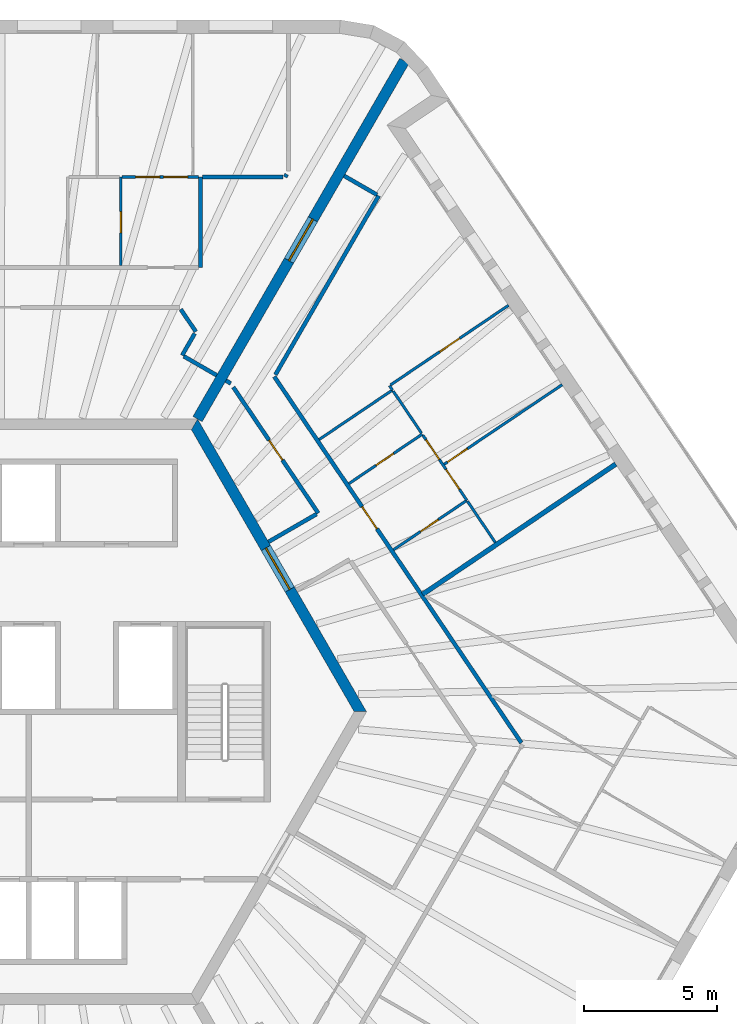
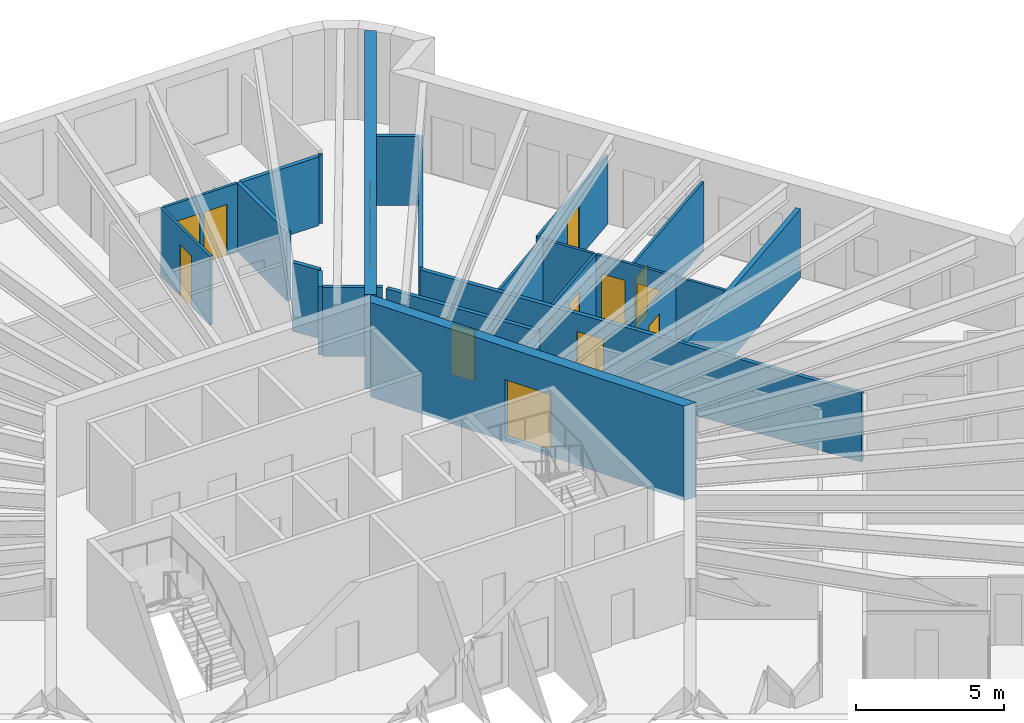
# One storey, part 10 of 12: 26 walls, 13 doors, 13 openings.
"""IFC4 building model written with IfcOpenShell, lengths in metres."""

import ifcopenshell
import ifcopenshell.guid

model = None  # the IFC model being written
_history = None  # IfcOwnerHistory: only IFC2X3 demands one
_inside = {}  # id of a spatial element -> (the spatial element, [elements in it])
_under = {}  # id of a project, library or spatial element -> (it, [spatial elements below it])
_declared = {}  # id of a project -> (the project, [libraries it declares])
_typed = {}  # id of a type object -> (the type object, [elements of that type])
_made_of = {}  # id of a material, layer set ... -> (it, [elements and type objects made of it])


def new_model(schema):
    """Start an empty IFC model of exactly this schema.

    Asked for "IFC4X3", IfcOpenShell would pick the latest addendum, in which some entities
    have other attributes; the version numbers below select the first issue.
    IFC2X3 requires an IfcOwnerHistory on every rooted entity: one is made here for all.
    """
    global model, _history
    if schema == "IFC4X3":
        model = ifcopenshell.file(schema_version=(4, 3, 0, 0))
    else:
        model = ifcopenshell.file(schema=schema)
    _inside.clear()
    _under.clear()
    _declared.clear()
    _typed.clear()
    _made_of.clear()
    _history = None
    if model.schema == "IFC2X3":
        org = make("IfcOrganization", Name="unknown")
        user = make(
            "IfcPersonAndOrganization",
            ThePerson=make("IfcPerson", FamilyName="unknown"),
            TheOrganization=org,
        )
        app = make(
            "IfcApplication",
            ApplicationDeveloper=org,
            Version="unknown",
            ApplicationFullName="unknown",
            ApplicationIdentifier="unknown",
        )
        _history = make(
            "IfcOwnerHistory",
            OwningUser=user,
            OwningApplication=app,
            ChangeAction="ADDED",
            CreationDate=0,
        )
    return model


def make(cls, **values):
    """One entity of the class cls with the attributes given. An attribute that is None is left unset."""
    return model.create_entity(
        cls, **{name: value for name, value in values.items() if value is not None}
    )


def rooted(cls, **values):
    """An entity with a GlobalId (a new one), such as an element, a storey or a relation."""
    return make(cls, GlobalId=ifcopenshell.guid.new(), OwnerHistory=_history, **values)


def si_unit(unit_type, name, prefix=None):
    """IfcSIUnit, for example si_unit("LENGTHUNIT", "METRE", prefix="MILLI")."""
    return make("IfcSIUnit", UnitType=unit_type, Prefix=prefix, Name=name)


def assignment(units):
    """IfcUnitAssignment: the units of a project."""
    return None if units is None else make("IfcUnitAssignment", Units=units)


def point(xyz):
    """IfcCartesianPoint."""
    return None if xyz is None else make("IfcCartesianPoint", Coordinates=xyz)


def direction(xyz):
    """IfcDirection."""
    return None if xyz is None else make("IfcDirection", DirectionRatios=xyz)


def frame(location, z_axis=None, x_axis=None):
    """IfcAxis2Placement3D, a coordinate frame: its origin and axes. An axis left out is left unset."""
    return make(
        "IfcAxis2Placement3D",
        Location=point(location),
        Axis=direction(z_axis),
        RefDirection=direction(x_axis),
    )


def frame_2d(location, x_axis=None):
    """IfcAxis2Placement2D, a coordinate frame in the plane: its origin and x axis."""
    return make(
        "IfcAxis2Placement2D", Location=point(location), RefDirection=direction(x_axis)
    )


def origin():
    """The frame at (0, 0, 0) with its axes left unset."""
    return frame((0.0, 0.0, 0.0))


def place(relative_to, where):
    """IfcLocalPlacement: puts the frame where relative to a parent placement (None: the world)."""
    return make(
        "IfcLocalPlacement", PlacementRelTo=relative_to, RelativePlacement=where
    )


def context(
    kind, dimensions, precision=None, world=None, true_north=None, identifier=None
):
    """IfcGeometricRepresentationContext, for example the 3D "Model" context."""
    return make(
        "IfcGeometricRepresentationContext",
        ContextIdentifier=identifier,
        ContextType=kind,
        CoordinateSpaceDimension=dimensions,
        Precision=precision,
        WorldCoordinateSystem=world,
        TrueNorth=true_north,
    )


def subcontext(parent, identifier, kind, view, scale=None):
    """IfcGeometricRepresentationSubContext, for example "Body" below "Model"."""
    return make(
        "IfcGeometricRepresentationSubContext",
        ContextIdentifier=identifier,
        ContextType=kind,
        ParentContext=parent,
        TargetScale=scale,
        TargetView=view,
    )


def project(units=None, contexts=None):
    """IfcProject with its units and contexts."""
    return rooted(
        "IfcProject",
        Name="project",
        RepresentationContexts=contexts,
        UnitsInContext=assignment(units),
    )


def spatial(cls, under=None, at=None, **own):
    """A site, building, storey or space (cls), placed at a placement, below another one or the project."""
    s = rooted(cls, ObjectPlacement=at, **own)
    if under is not None:
        _under.setdefault(under.id(), (under, []))[1].append(s)
    return s


def polyline(points):
    """IfcPolyline through the points."""
    return make("IfcPolyline", Points=[point(p) for p in points])


def profile(cls, at=None, kind="AREA", **sizes):
    """A parametric profile (cls). Its sizes go by their IFC names, for example OverallWidth=200.0."""
    return make(cls, ProfileType=kind, Position=at, **sizes)


def rectangle(**sizes):
    """IfcRectangleProfileDef."""
    return profile("IfcRectangleProfileDef", **sizes)


def outline(outer, holes=None, kind="AREA"):
    """IfcArbitraryClosedProfileDef: a profile drawn as a closed curve; with holes, ...WithVoids."""
    if holes is None:
        return make("IfcArbitraryClosedProfileDef", ProfileType=kind, OuterCurve=outer)
    return make(
        "IfcArbitraryProfileDefWithVoids",
        ProfileType=kind,
        OuterCurve=outer,
        InnerCurves=holes,
    )


def extrude(swept, where, along, depth):
    """IfcExtrudedAreaSolid: the profile swept, set in the frame where, extruded along a direction by depth."""
    return make(
        "IfcExtrudedAreaSolid",
        SweptArea=swept,
        Position=where,
        ExtrudedDirection=direction(along),
        Depth=depth,
    )


def shape(context_of_items, identifier, shape_type, items):
    """IfcShapeRepresentation: the items that make up one representation, for example the "Body"."""
    return make(
        "IfcShapeRepresentation",
        ContextOfItems=context_of_items,
        RepresentationIdentifier=identifier,
        RepresentationType=shape_type,
        Items=items,
    )


def material(Name=None, Category=None):
    """IfcMaterial."""
    return make("IfcMaterial", Name=Name, Category=Category)


def layer(
    of_material, thickness, ventilated=None, Name=None, Category=None, Priority=None
):
    """IfcMaterialLayer: one layer of a wall or slab, of a material (None: an air gap)."""
    return make(
        "IfcMaterialLayer",
        Material=of_material,
        LayerThickness=thickness,
        IsVentilated=ventilated,
        Name=Name,
        Category=Category,
        Priority=Priority,
    )


def layer_set(layers, Name=None):
    """IfcMaterialLayerSet."""
    return make("IfcMaterialLayerSet", MaterialLayers=layers, LayerSetName=Name)


def made_of(thing, what):
    """Note that an element or type object is made of a material, layer set ...; save() writes the relation."""
    if what is not None:
        _made_of.setdefault(what.id(), (what, []))[1].append(thing)
    return thing


def type_object(cls, material=None, **own):
    """A type object (cls), such as IfcWallType, which elements share."""
    return made_of(rooted(cls, **own), material)


def element(
    cls,
    number,
    at=None,
    inside=None,
    cuts=None,
    type_object=None,
    material=None,
    context=None,
    identifier="Body",
    shape_type=None,
    held_by="IfcProductDefinitionShape",
    body=None,
    shapes=None,
    **own,
):
    """One element of the class cls, such as IfcWall. Its Tag is "e" and its number.

    at: its placement. inside: the storey or other place that contains it. cuts: it is an
    opening in that element (IfcRelVoidsElement). A single representation is given by context,
    identifier, shape_type and body (its items); several are given by shapes. held_by: the class
    of the entity that holds the representations. save() writes the other relations.
    """
    e = rooted(cls, Tag="e%d" % number, ObjectPlacement=at, **own)
    if body is not None:
        shapes = [shape(context, identifier, shape_type, body)]
    if shapes is not None:
        e.Representation = make(held_by, Representations=shapes)
    if inside is not None:
        _inside.setdefault(inside.id(), (inside, []))[1].append(e)
    if cuts is not None:
        rooted(
            "IfcRelVoidsElement", RelatingBuildingElement=cuts, RelatedOpeningElement=e
        )
    if type_object is not None:
        _typed.setdefault(type_object.id(), (type_object, []))[1].append(e)
    return made_of(e, material)


def fill(opening, filler):
    """IfcRelFillsElement: the door or window that sits in an opening."""
    return rooted(
        "IfcRelFillsElement",
        RelatingOpeningElement=opening,
        RelatedBuildingElement=filler,
    )


def aggregate(whole, parts):
    """IfcRelAggregates: a whole, such as a stair, and the parts it consists of."""
    return rooted("IfcRelAggregates", RelatingObject=whole, RelatedObjects=parts)


def save(model, path):
    """Write the relations noted so far, then the file.

    IfcRelAggregates (storeys below a building ...), IfcRelContainedInSpatialStructure (elements
    in a storey), IfcRelDefinesByType, IfcRelAssociatesMaterial and IfcRelDeclares: one each for
    every whole, place, type object, material and project.
    """
    for whole, parts in _under.values():
        aggregate(whole, parts)
    for where, things in _inside.values():
        rooted(
            "IfcRelContainedInSpatialStructure",
            RelatedElements=things,
            RelatingStructure=where,
        )
    for kind, things in _typed.values():
        rooted("IfcRelDefinesByType", RelatedObjects=things, RelatingType=kind)
    for what, things in _made_of.values():
        rooted("IfcRelAssociatesMaterial", RelatedObjects=things, RelatingMaterial=what)
    for by, libraries in _declared.values():
        rooted("IfcRelDeclares", RelatingContext=by, RelatedDefinitions=libraries)
    model.write(path)


model = new_model("IFC4")

# Units and contexts
model_context = context("Model", 3, precision=1e-05, world=origin(), true_north=direction((0.0, 1.0)))
body_context = subcontext(model_context, "Body", "Model", "MODEL_VIEW")
ifc_project = project(units=[si_unit("LENGTHUNIT", "METRE"), si_unit("AREAUNIT", "SQUARE_METRE"), si_unit("VOLUMEUNIT", "CUBIC_METRE"), si_unit("PLANEANGLEUNIT", "RADIAN"), si_unit("MASSUNIT", "GRAM", prefix="KILO")], contexts=[model_context])

# Site, building, storey
site_placement = place(None, origin())
site = spatial("IfcSite", under=ifc_project, at=site_placement, CompositionType="ELEMENT")
building_placement = place(site_placement, origin())
building = spatial("IfcBuilding", under=site, at=building_placement, Name="Tarnside Tower", CompositionType="ELEMENT")
storey_placement = place(building_placement, frame((0.0, 0.0, 330.300048828125)))
storey = spatial("IfcBuildingStorey", under=building, at=storey_placement, Name="L80", CompositionType="ELEMENT", Elevation=330.300048828125)

# Wall, opening, door
ifc_material_1 = material(Name="Gypsum board partition on steel studs", Category="steel")
ifc_layer_1 = layer(ifc_material_1, 0.10009765625)
ifc_layer_set_1 = layer_set([ifc_layer_1], Name="Bathroom wall 100")
wall_type_1 = type_object("IfcWallType", Name="Bathroom wall 100", PredefinedType="PARTITIONING", material=ifc_layer_set_1)
wall_1_placement = place(storey_placement, frame((3.467041015625, 20.10009765625, 0.0), z_axis=(0.0, 0.0, 1.0), x_axis=(0.0, -1.0, 0.0)))
wall_1 = element("IfcWall", 1, at=wall_1_placement, inside=storey, type_object=wall_type_1, Name="Bathroom wall 26089", PredefinedType="PARTITIONING", context=body_context, shape_type="SweptSolid", body=[
    extrude(rectangle(XDim=3.3251953125, YDim=0.10009765625, at=frame_2d((1.66259765625, 0.0))), origin(), (0.0, 0.0, 1.0), 2.837646484375),
])
opening_1_placement = place(wall_1_placement, frame((1.300048828125, 0.0, 0.0)))
opening_1 = element("IfcOpeningElement", 2, at=opening_1_placement, cuts=wall_1, Name="Opening D-B1", PredefinedType="OPENING", context=body_context, shape_type="SweptSolid", body=[
    extrude(rectangle(XDim=0.800048828125, YDim=2.10009765625, at=frame_2d((0.39990234375, 1.050048828125))), frame((0.0, 0.06005859375, 0.0), z_axis=(0.0, -1.0, 0.0), x_axis=(1.0, 0.0, 0.0)), (0.0, 0.0, 1.0), 0.1201171875),
])
ifc_material_2 = material(Name="Timber door leaf", Category="wood")
door_type_1 = type_object("IfcDoorType", Name="Bathroom door 800", OperationType="NOTDEFINED", PredefinedType="DOOR", material=ifc_material_2)
door_1_placement = place(opening_1_placement, origin())
door_1 = element("IfcDoor", 3, at=door_1_placement, inside=storey, type_object=door_type_1, Name="Bathroom door 26002", OperationType="SINGLE_SWING_LEFT", OverallHeight=2.10009765625, OverallWidth=0.800048828125, PredefinedType="DOOR", context=body_context, shape_type="SweptSolid", body=[
    extrude(rectangle(XDim=0.800048828125, YDim=2.10009765625, at=frame_2d((0.39990234375, 1.050048828125))), frame((0.0, 0.02490234375, 0.0), z_axis=(0.0, -1.0, 0.0), x_axis=(1.0, 0.0, 0.0)), (0.0, 0.0, 1.0), 0.050048828125),
])
fill(opening_1, door_1)

# Wall
wall_2_placement = place(storey_placement, frame((10.9208984375, 10.231201171875, 0.0), z_axis=(0.0, 0.0, 1.0), x_axis=(0.829010378124, 0.559233218759, 0.0)))
element("IfcWall", 4, at=wall_2_placement, inside=storey, type_object=wall_type_1, Name="Bathroom wall 26162", PredefinedType="PARTITIONING", context=body_context, shape_type="SweptSolid", body=[
    extrude(rectangle(XDim=3.324951171875, YDim=0.10009765625, at=frame_2d((1.66259765625, 0.0))), origin(), (0.0, 0.0, 1.0), 2.837646484375),
])

# Wall, opening, door
wall_3_placement = place(storey_placement, frame((13.716796875, 6.086181640625, 0.0), z_axis=(0.0, 0.0, 1.0), x_axis=(0.829067379225, 0.559148710725, 0.0)))
wall_3 = element("IfcWall", 5, at=wall_3_placement, inside=storey, type_object=wall_type_1, Name="Bathroom wall 26163", PredefinedType="PARTITIONING", context=body_context, shape_type="SweptSolid", body=[
    extrude(rectangle(XDim=3.324951171875, YDim=0.10009765625, at=frame_2d((1.66259765625, 0.0))), origin(), (0.0, 0.0, 1.0), 2.837646484375),
])
opening_2_placement = place(wall_3_placement, frame((1.22509765625, 0.0, 0.0)))
opening_2 = element("IfcOpeningElement", 6, at=opening_2_placement, cuts=wall_3, Name="Opening D-B1", PredefinedType="OPENING", context=body_context, shape_type="SweptSolid", body=[
    extrude(rectangle(XDim=0.800048828125, YDim=2.10009765625, at=frame_2d((0.39990234375, 1.050048828125))), frame((0.0, 0.06005859375, 0.0), z_axis=(0.0, -1.0, 0.0), x_axis=(1.0, 0.0, 0.0)), (0.0, 0.0, 1.0), 0.1201171875),
])
door_2_placement = place(opening_2_placement, origin())
door_2 = element("IfcDoor", 7, at=door_2_placement, inside=storey, type_object=door_type_1, Name="Bathroom door 26062", OperationType="SINGLE_SWING_RIGHT", OverallHeight=2.10009765625, OverallWidth=0.800048828125, PredefinedType="DOOR", context=body_context, shape_type="SweptSolid", body=[
    extrude(rectangle(XDim=0.800048828125, YDim=2.10009765625, at=frame_2d((0.39990234375, 1.050048828125))), frame((0.0, 0.02490234375, 0.0), z_axis=(0.0, -1.0, 0.0), x_axis=(1.0, 0.0, 0.0)), (0.0, 0.0, 1.0), 0.050048828125),
])
fill(opening_2, door_2)

wall_4_placement = place(storey_placement, frame((14.795654296875, 10.4326171875, 0.0), z_axis=(0.0, 0.0, 1.0), x_axis=(-0.82903334026, -0.559199178055, 0.0)))
wall_4 = element("IfcWall", 8, at=wall_4_placement, inside=storey, type_object=wall_type_1, Name="Bathroom wall 26166", PredefinedType="PARTITIONING", context=body_context, shape_type="SweptSolid", body=[
    extrude(rectangle(XDim=3.324951171875, YDim=0.10009765625, at=frame_2d((1.66259765625, 0.0))), origin(), (0.0, 0.0, 1.0), 2.837646484375),
])
opening_3_placement = place(wall_4_placement, frame((1.300048828125, 0.0, 0.0)))
opening_3 = element("IfcOpeningElement", 9, at=opening_3_placement, cuts=wall_4, Name="Opening D-B1", PredefinedType="OPENING", context=body_context, shape_type="SweptSolid", body=[
    extrude(rectangle(XDim=0.800048828125, YDim=2.10009765625, at=frame_2d((0.39990234375, 1.050048828125))), frame((0.0, 0.06005859375, 0.0), z_axis=(0.0, -1.0, 0.0), x_axis=(1.0, 0.0, 0.0)), (0.0, 0.0, 1.0), 0.1201171875),
])
door_3_placement = place(opening_3_placement, origin())
door_3 = element("IfcDoor", 10, at=door_3_placement, inside=storey, type_object=door_type_1, Name="Bathroom door 26069", OperationType="SINGLE_SWING_LEFT", OverallHeight=2.10009765625, OverallWidth=0.800048828125, PredefinedType="DOOR", context=body_context, shape_type="SweptSolid", body=[
    extrude(rectangle(XDim=0.800048828125, YDim=2.10009765625, at=frame_2d((0.39990234375, 1.050048828125))), frame((0.0, 0.02490234375, 0.0), z_axis=(0.0, -1.0, 0.0), x_axis=(1.0, 0.0, 0.0)), (0.0, 0.0, 1.0), 0.050048828125),
])
fill(opening_3, door_3)

# Walls
wall_5_placement = place(storey_placement, frame((17.541259765625, 6.36181640625, 0.0), z_axis=(0.0, 0.0, 1.0), x_axis=(-0.559110227504, 0.829093332201, 0.0)))
element("IfcWall", 11, at=wall_5_placement, inside=storey, type_object=wall_type_1, Name="Bathroom wall 26167", PredefinedType="PARTITIONING", context=body_context, shape_type="SweptSolid", body=[
    extrude(rectangle(XDim=1.86181640625, YDim=0.10009765625, at=frame_2d((0.930908203125, 0.0))), origin(), (0.0, 0.0, 1.0), 2.837646484375),
])
wall_6_placement = place(storey_placement, frame((13.705322265625, 12.049072265625, 0.0), z_axis=(0.0, 0.0, 1.0), x_axis=(0.559199178055, -0.82903334026, 0.0)))
element("IfcWall", 12, at=wall_6_placement, inside=storey, type_object=wall_type_1, Name="Bathroom wall 26169", PredefinedType="PARTITIONING", context=body_context, shape_type="SweptSolid", body=[
    extrude(rectangle(XDim=1.900146484375, YDim=0.10009765625, at=frame_2d((0.9501953125, 0.0))), origin(), (0.0, 0.0, 1.0), 2.837646484375),
])

# Wall, opening, door
ifc_material_3 = material(Name="Concrete C60/75", Category="concrete")
ifc_layer_2 = layer(ifc_material_3, 0.39990234375)
ifc_layer_set_2 = layer_set([ifc_layer_2], Name="Core wall Z3 400 C60/75")
wall_type_2 = type_object("IfcWallType", Name="Core wall Z3 400 C60/75", PredefinedType="SHEAR", material=ifc_layer_set_2)
wall_7_placement = place(storey_placement, frame((12.470703125, 0.0, -0.150146484375), z_axis=(0.0, 0.0, 1.0), x_axis=(-0.499996419489, 0.866027470984, 0.0)))
wall_7 = element("IfcWall", 13, at=wall_7_placement, inside=storey, type_object=wall_type_2, Name="L80 core wall face 6", PredefinedType="SHEAR", context=body_context, shape_type="SweptSolid", body=[
    extrude(outline(polyline([(-0.115478515625, -0.199951171875), (12.586181640625, -0.199951171875), (12.355224609375, 0.199951171875), (0.115478515625, 0.199951171875), (-0.115478515625, -0.199951171875)])), origin(), (0.0, 0.0, 1.0), 3.900146484375),
])
opening_4_placement = place(wall_7_placement, frame((5.306396484375, 0.0, 0.14990234375)))
opening_4 = element("IfcOpeningElement", 14, at=opening_4_placement, cuts=wall_7, Name="Opening CD-LOB", PredefinedType="OPENING", context=body_context, shape_type="SweptSolid", body=[
    extrude(rectangle(XDim=1.800048828125, YDim=2.39990234375, at=frame_2d((0.89990234375, 1.199951171875))), frame((0.0, 0.2099609375, 0.0), z_axis=(0.0, -1.0, 0.0), x_axis=(1.0, 0.0, 0.0)), (0.0, 0.0, 1.0), 0.419921875),
])
ifc_material_4 = material(Name="Steel fire door", Category="steel")
door_type_2 = type_object("IfcDoorType", Name="Lobby double door FD30S 1800x2400", OperationType="NOTDEFINED", PredefinedType="DOOR", material=ifc_material_4)
door_4_placement = place(opening_4_placement, origin())
door_4 = element("IfcDoor", 15, at=door_4_placement, inside=storey, type_object=door_type_2, Name="L80 core door P2", OperationType="DOUBLE_DOOR_SINGLE_SWING", OverallHeight=2.39990234375, OverallWidth=1.800048828125, PredefinedType="DOOR", context=body_context, shape_type="SweptSolid", body=[
    extrude(rectangle(XDim=1.800048828125, YDim=2.39990234375, at=frame_2d((0.89990234375, 1.199951171875))), frame((0.0, 0.02490234375, 0.0), z_axis=(0.0, -1.0, 0.0), x_axis=(1.0, 0.0, 0.0)), (0.0, 0.0, 1.0), 0.050048828125),
])
fill(opening_4, door_4)

wall_8_placement = place(storey_placement, frame((6.350830078125, 11.0, -0.150146484375), z_axis=(0.0, 0.0, 1.0), x_axis=(0.499998894578, 0.866026041999, 0.0)))
wall_8 = element("IfcWall", 16, at=wall_8_placement, inside=storey, type_object=wall_type_2, Name="L80 spine wall 1", PredefinedType="SHEAR", context=body_context, shape_type="SweptSolid", body=[
    extrude(rectangle(XDim=15.54443359375, YDim=0.39990234375, at=frame_2d((7.772216796875, 0.0))), origin(), (0.0, 0.0, 1.0), 3.900146484375),
])
opening_5_placement = place(wall_8_placement, frame((6.872314453125, 0.0, 0.14990234375)))
opening_5 = element("IfcOpeningElement", 17, at=opening_5_placement, cuts=wall_8, Name="Opening CD-SPN", PredefinedType="OPENING", context=body_context, shape_type="SweptSolid", body=[
    extrude(rectangle(XDim=1.800048828125, YDim=2.39990234375, at=frame_2d((0.89990234375, 1.199951171875))), frame((0.0, 0.2099609375, 0.0), z_axis=(0.0, -1.0, 0.0), x_axis=(1.0, 0.0, 0.0)), (0.0, 0.0, 1.0), 0.419921875),
])
door_type_3 = type_object("IfcDoorType", Name="Spine passage double door FD60 1800x2400", OperationType="NOTDEFINED", PredefinedType="DOOR", material=ifc_material_4)
door_5_placement = place(opening_5_placement, origin())
door_5 = element("IfcDoor", 18, at=door_5_placement, inside=storey, type_object=door_type_3, Name="L80 spine passage door 1", OperationType="DOUBLE_DOOR_SINGLE_SWING", OverallHeight=2.39990234375, OverallWidth=1.800048828125, PredefinedType="DOOR", context=body_context, shape_type="SweptSolid", body=[
    extrude(rectangle(XDim=1.800048828125, YDim=2.39990234375, at=frame_2d((0.89990234375, 1.199951171875))), frame((0.0, 0.02490234375, 0.0), z_axis=(0.0, -1.0, 0.0), x_axis=(1.0, 0.0, 0.0)), (0.0, 0.0, 1.0), 0.050048828125),
])
fill(opening_5, door_5)

# Walls
ifc_layer_3 = layer(ifc_material_1, 0.14990234375)
ifc_layer_set_3 = layer_set([ifc_layer_3], Name="Corridor wall 150 EI 60")
wall_type_3 = type_object("IfcWallType", Name="Corridor wall 150 EI 60", PredefinedType="PARTITIONING", material=ifc_layer_set_3)
wall_9_placement = place(storey_placement, frame((6.467041015625, 20.10009765625, 0.0), z_axis=(0.0, 0.0, 1.0), x_axis=(0.0, -1.0, 0.0)))
element("IfcWall", 19, at=wall_9_placement, inside=storey, type_object=wall_type_3, Name="Corridor wall 26002", PredefinedType="PARTITIONING", context=body_context, shape_type="SweptSolid", body=[
    extrude(rectangle(XDim=3.400146484375, YDim=0.14990234375, at=frame_2d((1.7001953125, 0.0))), origin(), (0.0, 0.0, 1.0), 2.837646484375),
])
wall_10_placement = place(storey_placement, frame((9.7001953125, 20.201171875, 0.0), z_axis=(0.0, 0.0, 1.0), x_axis=(-0.49996389635, -0.866046247233, 0.0)))
element("IfcWall", 20, at=wall_10_placement, inside=storey, type_object=wall_type_3, Name="Corridor wall 26006", PredefinedType="PARTITIONING", context=body_context, shape_type="SweptSolid", body=[
    extrude(rectangle(XDim=0.11669921875, YDim=0.14990234375, at=frame_2d((0.058349609375, 0.0))), origin(), (0.0, 0.0, 1.0), 2.837646484375),
])
wall_11_placement = place(storey_placement, frame((9.55517578125, 20.10009765625, 0.0), z_axis=(0.0, 0.0, 1.0), x_axis=(-1.0, 0.0, 0.0)))
element("IfcWall", 21, at=wall_11_placement, inside=storey, type_object=wall_type_3, Name="Corridor wall 26007", PredefinedType="PARTITIONING", context=body_context, shape_type="SweptSolid", body=[
    extrude(rectangle(XDim=3.0166015625, YDim=0.14990234375, at=frame_2d((1.50830078125, 0.0))), origin(), (0.0, 0.0, 1.0), 2.837646484375),
])
wall_12_placement = place(storey_placement, frame((5.72021484375, 15.125, 0.0), z_axis=(0.0, 0.0, 1.0), x_axis=(0.559095340605, -0.829103371187, 0.0)))
element("IfcWall", 22, at=wall_12_placement, inside=storey, type_object=wall_type_3, Name="Corridor wall 26020", PredefinedType="PARTITIONING", context=body_context, shape_type="SweptSolid", body=[
    extrude(rectangle(XDim=1.010986328125, YDim=0.14990234375, at=frame_2d((0.50537109375, 0.0))), origin(), (0.0, 0.0, 1.0), 2.837646484375),
])
wall_13_placement = place(storey_placement, frame((6.243896484375, 14.214599609375, 0.0), z_axis=(0.0, 0.0, 1.0), x_axis=(-0.499998034377, -0.866026538634, 0.0)))
element("IfcWall", 23, at=wall_13_placement, inside=storey, type_object=wall_type_3, Name="Corridor wall 26021", PredefinedType="PARTITIONING", context=body_context, shape_type="SweptSolid", body=[
    extrude(rectangle(XDim=0.94580078125, YDim=0.14990234375, at=frame_2d((0.472900390625, 0.0))), origin(), (0.0, 0.0, 1.0), 2.837646484375),
])
wall_14_placement = place(storey_placement, frame((5.8359375, 13.358154296875, 0.0), z_axis=(0.0, 0.0, 1.0), x_axis=(0.865988727248, -0.500063520245, 0.0)))
element("IfcWall", 24, at=wall_14_placement, inside=storey, type_object=wall_type_3, Name="Corridor wall 26022", PredefinedType="PARTITIONING", context=body_context, shape_type="SweptSolid", body=[
    extrude(rectangle(XDim=1.425048828125, YDim=0.14990234375, at=frame_2d((0.71240234375, 0.0))), origin(), (0.0, 0.0, 1.0), 2.837646484375),
])

# Wall, opening, door
wall_15_placement = place(storey_placement, frame((18.52099609375, -1.170654296875, 0.0), z_axis=(0.0, 0.0, 1.0), x_axis=(-0.559191021435, 0.829038842001, 0.0)))
wall_15 = element("IfcWall", 25, at=wall_15_placement, inside=storey, type_object=wall_type_3, Name="Corridor wall 26063", PredefinedType="PARTITIONING", context=body_context, shape_type="SweptSolid", body=[
    extrude(rectangle(XDim=16.60546875, YDim=0.14990234375, at=frame_2d((8.302734375, 0.0))), origin(), (0.0, 0.0, 1.0), 2.837646484375),
])
opening_6_placement = place(wall_15_placement, frame((9.70263671875, 0.0, 0.0)))
opening_6 = element("IfcOpeningElement", 26, at=opening_6_placement, cuts=wall_15, Name="Opening D-E1", PredefinedType="OPENING", context=body_context, shape_type="SweptSolid", body=[
    extrude(rectangle(XDim=1.0, YDim=2.10009765625, at=frame_2d((0.5, 1.050048828125))), frame((0.0, 0.0849609375, 0.0), z_axis=(0.0, -1.0, 0.0), x_axis=(1.0, 0.0, 0.0)), (0.0, 0.0, 1.0), 0.169921875),
])
door_type_4 = type_object("IfcDoorType", Name="Unit entrance door 1000 FD30S", OperationType="NOTDEFINED", PredefinedType="DOOR", material=ifc_material_2)
door_6_placement = place(opening_6_placement, origin())
door_6 = element("IfcDoor", 27, at=door_6_placement, inside=storey, type_object=door_type_4, Name="Unit door 26061", OperationType="SINGLE_SWING_RIGHT", OverallHeight=2.10009765625, OverallWidth=1.0, PredefinedType="DOOR", context=body_context, shape_type="SweptSolid", body=[
    extrude(rectangle(XDim=1.0, YDim=2.10009765625, at=frame_2d((0.5, 1.050048828125))), frame((0.0, 0.02490234375, 0.0), z_axis=(0.0, -1.0, 0.0), x_axis=(1.0, 0.0, 0.0)), (0.0, 0.0, 1.0), 0.050048828125),
])
fill(opening_6, door_6)

# Walls
wall_16_placement = place(storey_placement, frame((9.277099609375, 12.668212890625, 0.0), z_axis=(0.0, 0.0, 1.0), x_axis=(0.499991012162, 0.866030592853, 0.0)))
element("IfcWall", 28, at=wall_16_placement, inside=storey, type_object=wall_type_3, Name="Corridor wall 26067", PredefinedType="PARTITIONING", context=body_context, shape_type="SweptSolid", body=[
    extrude(rectangle(XDim=7.764404296875, YDim=0.14990234375, at=frame_2d((3.88232421875, 0.0))), origin(), (0.0, 0.0, 1.0), 2.837646484375),
])
wall_17_placement = place(storey_placement, frame((13.09423828125, 19.429931640625, 0.0), z_axis=(0.0, 0.0, 1.0), x_axis=(-0.866062911188, 0.499935029643, 0.0)))
element("IfcWall", 29, at=wall_17_placement, inside=storey, type_object=wall_type_3, Name="Corridor wall 26068", PredefinedType="PARTITIONING", context=body_context, shape_type="SweptSolid", body=[
    extrude(rectangle(XDim=1.425048828125, YDim=0.14990234375, at=frame_2d((0.71240234375, 0.0))), origin(), (0.0, 0.0, 1.0), 2.837646484375),
])
wall_18_placement = place(storey_placement, frame((7.416259765625, 12.445556640625, 0.0), z_axis=(0.0, 0.0, 1.0), x_axis=(0.866378867349, -0.499387282788, 0.0)))
element("IfcWall", 30, at=wall_18_placement, inside=storey, type_object=wall_type_3, Name="Corridor wall 26081", PredefinedType="PARTITIONING", context=body_context, shape_type="SweptSolid", body=[
    extrude(rectangle(XDim=0.210205078125, YDim=0.14990234375, at=frame_2d((0.10498046875, 0.0))), origin(), (0.0, 0.0, 1.0), 2.837646484375),
])

# Wall, opening, door
wall_19_placement = place(storey_placement, frame((7.69384765625, 12.19873046875, 0.0), z_axis=(0.0, 0.0, 1.0), x_axis=(0.55920112739, -0.829032025392, 0.0)))
wall_19 = element("IfcWall", 31, at=wall_19_placement, inside=storey, type_object=wall_type_3, Name="Corridor wall 26082", PredefinedType="PARTITIONING", context=body_context, shape_type="SweptSolid", body=[
    extrude(rectangle(XDim=5.710205078125, YDim=0.14990234375, at=frame_2d((2.85498046875, 0.0))), origin(), (0.0, 0.0, 1.0), 2.837646484375),
])
opening_7_placement = place(wall_19_placement, frame((2.405029296875, 0.0, 0.0)))
opening_7 = element("IfcOpeningElement", 32, at=opening_7_placement, cuts=wall_19, Name="Opening D-S1", PredefinedType="OPENING", context=body_context, shape_type="SweptSolid", body=[
    extrude(rectangle(XDim=0.89990234375, YDim=2.10009765625, at=frame_2d((0.449951171875, 1.050048828125))), frame((0.0, 0.0849609375, 0.0), z_axis=(0.0, -1.0, 0.0), x_axis=(1.0, 0.0, 0.0)), (0.0, 0.0, 1.0), 0.169921875),
])
door_type_5 = type_object("IfcDoorType", Name="Service room door 900 FD30S", OperationType="NOTDEFINED", PredefinedType="DOOR", material=ifc_material_2)
door_7_placement = place(opening_7_placement, origin())
door_7 = element("IfcDoor", 33, at=door_7_placement, inside=storey, type_object=door_type_5, Name="Service door 26077", OperationType="SINGLE_SWING_RIGHT", OverallHeight=2.10009765625, OverallWidth=0.89990234375, PredefinedType="DOOR", context=body_context, shape_type="SweptSolid", body=[
    extrude(rectangle(XDim=0.89990234375, YDim=2.10009765625, at=frame_2d((0.449951171875, 1.050048828125))), frame((0.0, 0.02490234375, 0.0), z_axis=(0.0, -1.0, 0.0), x_axis=(1.0, 0.0, 0.0)), (0.0, 0.0, 1.0), 0.050048828125),
])
fill(opening_7, door_7)

# Walls
wall_20_placement = place(storey_placement, frame((10.822021484375, 7.42724609375, 0.0), z_axis=(0.0, 0.0, 1.0), x_axis=(-0.866016009309, -0.500016271356, 0.0)))
element("IfcWall", 34, at=wall_20_placement, inside=storey, type_object=wall_type_3, Name="Corridor wall 26083", PredefinedType="PARTITIONING", context=body_context, shape_type="SweptSolid", body=[
    extrude(rectangle(XDim=2.0859375, YDim=0.14990234375, at=frame_2d((1.04296875, 0.0))), origin(), (0.0, 0.0, 1.0), 2.837646484375),
])
ifc_layer_4 = layer(ifc_material_1, 0.179931640625)
ifc_layer_set_4 = layer_set([ifc_layer_4], Name="Demising wall 180 EI 60")
wall_type_4 = type_object("IfcWallType", Name="Demising wall 180 EI 60", PredefinedType="PARTITIONING", material=ifc_layer_set_4)
wall_21_placement = place(storey_placement, frame((22.068603515625, 9.306884765625, 0.0), z_axis=(0.0, 0.0, 1.0), x_axis=(-0.829040270775, -0.559188903174, 0.0)))
element("IfcWall", 35, at=wall_21_placement, inside=storey, type_object=wall_type_4, Name="Demising wall 26151", PredefinedType="PARTITIONING", context=body_context, shape_type="SweptSolid", body=[
    extrude(rectangle(XDim=8.7578125, YDim=0.179931640625, at=frame_2d((4.37890625, 0.0))), origin(), (0.0, 0.0, 1.0), 2.837646484375),
])

# Wall, openings, doors
ifc_layer_5 = layer(ifc_material_1, 0.10009765625)
ifc_layer_set_5 = layer_set([ifc_layer_5], Name="Partition 100")
wall_type_5 = type_object("IfcWallType", Name="Partition 100", PredefinedType="PARTITIONING", material=ifc_layer_set_5)
wall_22_placement = place(storey_placement, frame((6.39404296875, 20.10009765625, 0.0), z_axis=(0.0, 0.0, 1.0), x_axis=(-1.0, 0.0, 0.0)))
wall_22 = element("IfcWall", 36, at=wall_22_placement, inside=storey, type_object=wall_type_5, Name="Partition wall 26090", PredefinedType="PARTITIONING", context=body_context, shape_type="SweptSolid", body=[
    extrude(rectangle(XDim=2.87890625, YDim=0.10009765625, at=frame_2d((1.439453125, 0.0))), origin(), (0.0, 0.0, 1.0), 2.837646484375),
])
opening_8_placement = place(wall_22_placement, frame((0.4189453125, 0.0, 0.0)))
opening_8 = element("IfcOpeningElement", 37, at=opening_8_placement, cuts=wall_22, Name="Opening D-I1", PredefinedType="OPENING", context=body_context, shape_type="SweptSolid", body=[
    extrude(rectangle(XDim=0.89990234375, YDim=2.10009765625, at=frame_2d((0.449951171875, 1.050048828125))), frame((0.0, 0.06005859375, 0.0), z_axis=(0.0, -1.0, 0.0), x_axis=(1.0, 0.0, 0.0)), (0.0, 0.0, 1.0), 0.1201171875),
])
opening_9_placement = place(wall_22_placement, frame((1.472900390625, 0.0, 0.0)))
opening_9 = element("IfcOpeningElement", 38, at=opening_9_placement, cuts=wall_22, Name="Opening D-I1", PredefinedType="OPENING", context=body_context, shape_type="SweptSolid", body=[
    extrude(rectangle(XDim=0.89990234375, YDim=2.10009765625, at=frame_2d((0.449951171875, 1.050048828125))), frame((0.0, 0.06005859375, 0.0), z_axis=(0.0, -1.0, 0.0), x_axis=(1.0, 0.0, 0.0)), (0.0, 0.0, 1.0), 0.1201171875),
])
door_type_6 = type_object("IfcDoorType", Name="Internal door 900", OperationType="NOTDEFINED", PredefinedType="DOOR", material=ifc_material_2)
door_8_placement = place(opening_8_placement, origin())
door_8 = element("IfcDoor", 39, at=door_8_placement, inside=storey, type_object=door_type_6, Name="Internal door 26005", OperationType="SINGLE_SWING_LEFT", OverallHeight=2.10009765625, OverallWidth=0.89990234375, PredefinedType="DOOR", context=body_context, shape_type="SweptSolid", body=[
    extrude(rectangle(XDim=0.89990234375, YDim=2.10009765625, at=frame_2d((0.449951171875, 1.050048828125))), frame((0.0, 0.02490234375, 0.0), z_axis=(0.0, -1.0, 0.0), x_axis=(1.0, 0.0, 0.0)), (0.0, 0.0, 1.0), 0.050048828125),
])
fill(opening_8, door_8)
door_9_placement = place(opening_9_placement, origin())
door_9 = element("IfcDoor", 40, at=door_9_placement, inside=storey, type_object=door_type_6, Name="Internal door 26009", OperationType="SINGLE_SWING_LEFT", OverallHeight=2.10009765625, OverallWidth=0.89990234375, PredefinedType="DOOR", context=body_context, shape_type="SweptSolid", body=[
    extrude(rectangle(XDim=0.89990234375, YDim=2.10009765625, at=frame_2d((0.449951171875, 1.050048828125))), frame((0.0, 0.02490234375, 0.0), z_axis=(0.0, -1.0, 0.0), x_axis=(1.0, 0.0, 0.0)), (0.0, 0.0, 1.0), 0.050048828125),
])
fill(opening_9, door_9)

# Wall
wall_23_placement = place(storey_placement, frame((13.678466796875, 12.0888671875, 0.0), z_axis=(0.0, 0.0, 1.0), x_axis=(-0.559431350648, 0.828876688001, 0.0)))
element("IfcWall", 41, at=wall_23_placement, inside=storey, type_object=wall_type_5, Name="Partition wall 26160", PredefinedType="PARTITIONING", context=body_context, shape_type="SweptSolid", body=[
    extrude(rectangle(XDim=0.2021484375, YDim=0.10009765625, at=frame_2d((0.10107421875, 0.0))), origin(), (0.0, 0.0, 1.0), 2.837646484375),
])

# Wall, opening, door
wall_24_placement = place(storey_placement, frame((13.60693359375, 12.284423828125, 0.0), z_axis=(0.0, 0.0, 1.0), x_axis=(0.829033261565, 0.559199294722, 0.0)))
wall_24 = element("IfcWall", 42, at=wall_24_placement, inside=storey, type_object=wall_type_5, Name="Partition wall 26161", PredefinedType="PARTITIONING", context=body_context, shape_type="SweptSolid", body=[
    extrude(rectangle(XDim=5.349853515625, YDim=0.10009765625, at=frame_2d((2.6748046875, 0.0))), origin(), (0.0, 0.0, 1.0), 2.837646484375),
])
opening_10_placement = place(wall_24_placement, frame((2.22509765625, 0.0, 0.0)))
opening_10 = element("IfcOpeningElement", 43, at=opening_10_placement, cuts=wall_24, Name="Opening D-I1", PredefinedType="OPENING", context=body_context, shape_type="SweptSolid", body=[
    extrude(rectangle(XDim=0.89990234375, YDim=2.10009765625, at=frame_2d((0.449951171875, 1.050048828125))), frame((0.0, 0.06005859375, 0.0), z_axis=(0.0, -1.0, 0.0), x_axis=(1.0, 0.0, 0.0)), (0.0, 0.0, 1.0), 0.1201171875),
])
door_10_placement = place(opening_10_placement, origin())
door_10 = element("IfcDoor", 44, at=door_10_placement, inside=storey, type_object=door_type_6, Name="Internal door 26071", OperationType="SINGLE_SWING_RIGHT", OverallHeight=2.10009765625, OverallWidth=0.89990234375, PredefinedType="DOOR", context=body_context, shape_type="SweptSolid", body=[
    extrude(rectangle(XDim=0.89990234375, YDim=2.10009765625, at=frame_2d((0.449951171875, 1.050048828125))), frame((0.0, 0.02490234375, 0.0), z_axis=(0.0, -1.0, 0.0), x_axis=(1.0, 0.0, 0.0)), (0.0, 0.0, 1.0), 0.050048828125),
])
fill(opening_10, door_10)

# Wall, openings, doors
wall_25_placement = place(storey_placement, frame((16.474365234375, 7.94384765625, 0.0), z_axis=(0.0, 0.0, 1.0), x_axis=(-0.559193191328, 0.829037378393, 0.0)))
wall_25 = element("IfcWall", 45, at=wall_25_placement, inside=storey, type_object=wall_type_5, Name="Partition wall 26164", PredefinedType="PARTITIONING", context=body_context, shape_type="SweptSolid", body=[
    extrude(rectangle(XDim=2.9541015625, YDim=0.10009765625, at=frame_2d((1.47705078125, 0.0))), origin(), (0.0, 0.0, 1.0), 2.837646484375),
])
opening_11_placement = place(wall_25_placement, frame((0.501953125, 0.0, 0.0)))
opening_11 = element("IfcOpeningElement", 46, at=opening_11_placement, cuts=wall_25, Name="Opening D-I1", PredefinedType="OPENING", context=body_context, shape_type="SweptSolid", body=[
    extrude(rectangle(XDim=0.89990234375, YDim=2.10009765625, at=frame_2d((0.449951171875, 1.050048828125))), frame((0.0, 0.06005859375, 0.0), z_axis=(0.0, -1.0, 0.0), x_axis=(1.0, 0.0, 0.0)), (0.0, 0.0, 1.0), 0.1201171875),
])
opening_12_placement = place(wall_25_placement, frame((1.85205078125, 0.0, 0.0)))
opening_12 = element("IfcOpeningElement", 47, at=opening_12_placement, cuts=wall_25, Name="Opening D-I1", PredefinedType="OPENING", context=body_context, shape_type="SweptSolid", body=[
    extrude(rectangle(XDim=0.89990234375, YDim=2.10009765625, at=frame_2d((0.449951171875, 1.050048828125))), frame((0.0, 0.06005859375, 0.0), z_axis=(0.0, -1.0, 0.0), x_axis=(1.0, 0.0, 0.0)), (0.0, 0.0, 1.0), 0.1201171875),
])
door_11_placement = place(opening_11_placement, origin())
door_11 = element("IfcDoor", 48, at=door_11_placement, inside=storey, type_object=door_type_6, Name="Internal door 26064", OperationType="SINGLE_SWING_LEFT", OverallHeight=2.10009765625, OverallWidth=0.89990234375, PredefinedType="DOOR", context=body_context, shape_type="SweptSolid", body=[
    extrude(rectangle(XDim=0.89990234375, YDim=2.10009765625, at=frame_2d((0.449951171875, 1.050048828125))), frame((0.0, 0.02490234375, 0.0), z_axis=(0.0, -1.0, 0.0), x_axis=(1.0, 0.0, 0.0)), (0.0, 0.0, 1.0), 0.050048828125),
])
fill(opening_11, door_11)
door_12_placement = place(opening_12_placement, origin())
door_12 = element("IfcDoor", 49, at=door_12_placement, inside=storey, type_object=door_type_6, Name="Internal door 26068", OperationType="SINGLE_SWING_RIGHT", OverallHeight=2.10009765625, OverallWidth=0.89990234375, PredefinedType="DOOR", context=body_context, shape_type="SweptSolid", body=[
    extrude(rectangle(XDim=0.89990234375, YDim=2.10009765625, at=frame_2d((0.449951171875, 1.050048828125))), frame((0.0, 0.02490234375, 0.0), z_axis=(0.0, -1.0, 0.0), x_axis=(1.0, 0.0, 0.0)), (0.0, 0.0, 1.0), 0.050048828125),
])
fill(opening_12, door_12)

# Wall, opening, door
wall_26_placement = place(storey_placement, frame((20.055419921875, 12.29150390625, 0.0), z_axis=(0.0, 0.0, 1.0), x_axis=(-0.829033261565, -0.559199294722, 0.0)))
wall_26 = element("IfcWall", 50, at=wall_26_placement, inside=storey, type_object=wall_type_5, Name="Partition wall 26168", PredefinedType="PARTITIONING", context=body_context, shape_type="SweptSolid", body=[
    extrude(rectangle(XDim=5.349853515625, YDim=0.10009765625, at=frame_2d((2.6748046875, 0.0))), origin(), (0.0, 0.0, 1.0), 2.837646484375),
])
opening_13_placement = place(wall_26_placement, frame((4.300048828125, 0.0, 0.0)))
opening_13 = element("IfcOpeningElement", 51, at=opening_13_placement, cuts=wall_26, Name="Opening D-I1", PredefinedType="OPENING", context=body_context, shape_type="SweptSolid", body=[
    extrude(rectangle(XDim=0.89990234375, YDim=2.10009765625, at=frame_2d((0.449951171875, 1.050048828125))), frame((0.0, 0.06005859375, 0.0), z_axis=(0.0, -1.0, 0.0), x_axis=(1.0, 0.0, 0.0)), (0.0, 0.0, 1.0), 0.1201171875),
])
door_13_placement = place(opening_13_placement, origin())
door_13 = element("IfcDoor", 52, at=door_13_placement, inside=storey, type_object=door_type_6, Name="Internal door 26067", OperationType="SINGLE_SWING_RIGHT", OverallHeight=2.10009765625, OverallWidth=0.89990234375, PredefinedType="DOOR", context=body_context, shape_type="SweptSolid", body=[
    extrude(rectangle(XDim=0.89990234375, YDim=2.10009765625, at=frame_2d((0.449951171875, 1.050048828125))), frame((0.0, 0.02490234375, 0.0), z_axis=(0.0, -1.0, 0.0), x_axis=(1.0, 0.0, 0.0)), (0.0, 0.0, 1.0), 0.050048828125),
])
fill(opening_13, door_13)

save(model, "model.ifc")
